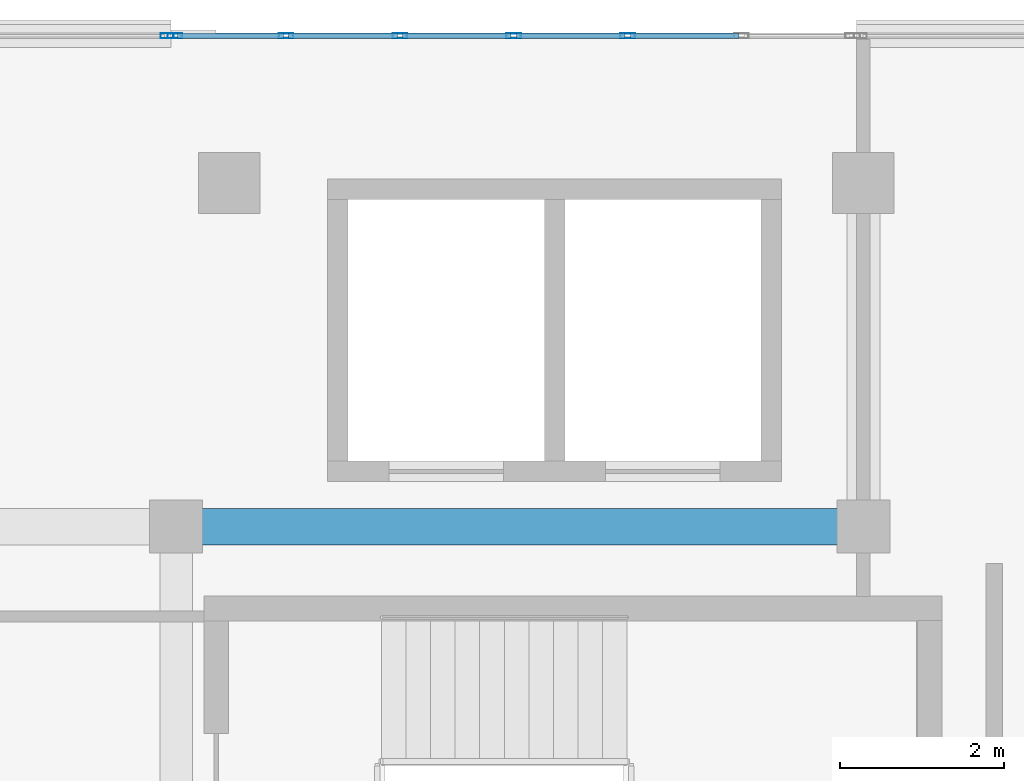
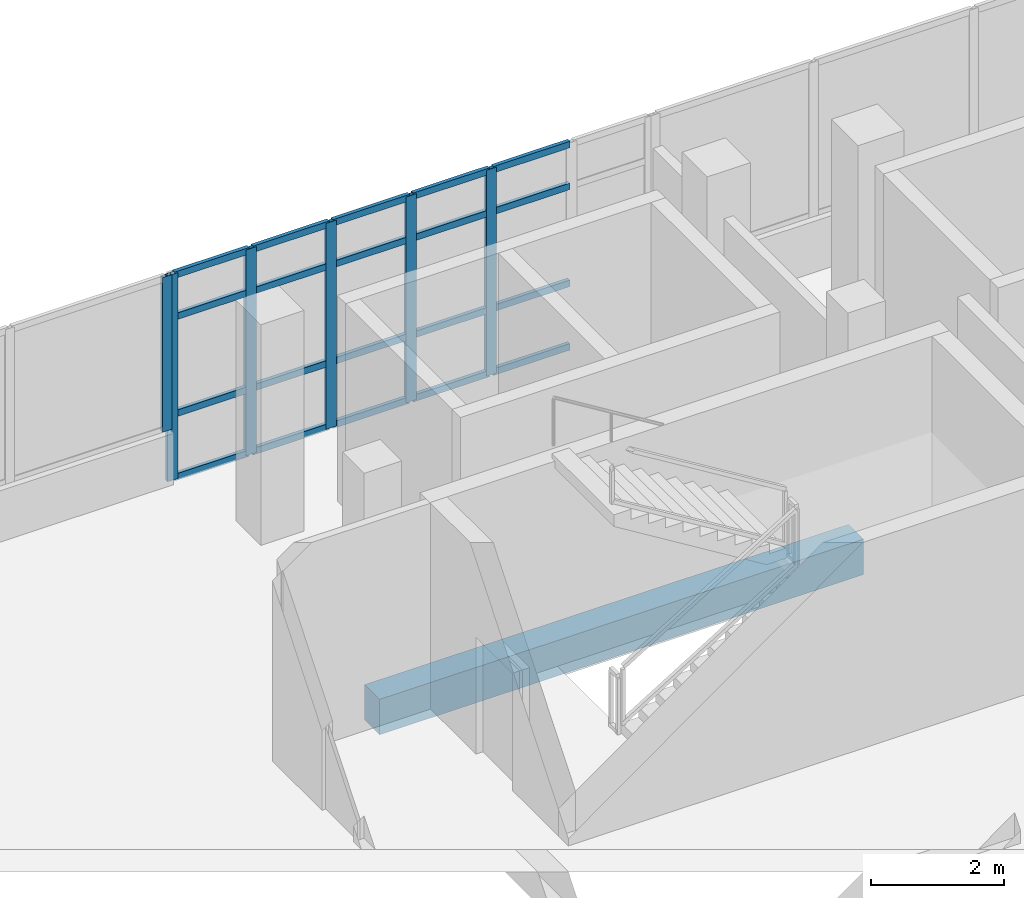
# One storey, part 21 of 76: 26 members, 1 beam, 2 elements without a shape of their own.
"""IFC4 building model written with IfcOpenShell, lengths in metres."""

from ifc_helpers import new_model, si_unit, direction, frame, origin, origin_2d, place, context, subcontext, project, spatial, rectangle, hollow_rectangle, extrude, material, material_profile, profile_set, type_object, element, aggregate, save


model = new_model("IFC4")

# Units and contexts
model_context = context("Model", 3, precision=1e-05, world=origin(), true_north=direction((0.0, 1.0)))
body_context = subcontext(model_context, "Body", "Model", "MODEL_VIEW")
ifc_project = project(units=[si_unit("LENGTHUNIT", "METRE"), si_unit("AREAUNIT", "SQUARE_METRE"), si_unit("VOLUMEUNIT", "CUBIC_METRE"), si_unit("PLANEANGLEUNIT", "RADIAN"), si_unit("MASSUNIT", "GRAM", prefix="KILO")], contexts=[model_context])

# Site, building, storey
site_placement = place(None, origin())
site = spatial("IfcSite", under=ifc_project, at=site_placement, CompositionType="ELEMENT")
building_placement = place(site_placement, origin())
building = spatial("IfcBuilding", under=site, at=building_placement, Name="Selatvlak General Hospital", CompositionType="ELEMENT")
storey_placement = place(building_placement, frame((0.0, 0.0, 27.300048828125)))
storey = spatial("IfcBuildingStorey", under=building, at=storey_placement, Name="L06", CompositionType="ELEMENT", Elevation=27.300048828125)

# Beam
ifc_material_1 = material(Name="Concrete C40/50", Category="concrete")
ifc_material_profile_1 = material_profile(ifc_material_1, rectangle(XDim=0.449951171875, YDim=0.64990234375, at=origin_2d()), Name="RC-BM 450x650")
ifc_profile_set_1 = profile_set([ifc_material_profile_1], Name="Concrete C40/50")
beam_type = type_object("IfcBeamType", Name="BM-G04", PredefinedType="BEAM", material=ifc_profile_set_1)
beam_placement = place(storey_placement, frame((48.0, 114.0, -0.60009765625), z_axis=(1.0, 0.0, 0.0), x_axis=(0.0, 1.0, 0.0)))
element("IfcBeam", 1, at=beam_placement, inside=storey, type_object=beam_type, Name="Beam BMR-L06-2220", PredefinedType="BEAM", context=body_context, shape_type="SweptSolid", body=[
    extrude(rectangle(XDim=0.449951171875, YDim=0.64990234375, at=origin_2d()), origin(), (0.0, 0.0, 1.0), 8.39990234375),
])

# Curtain wall, member
ifc_material_2 = material(Name="Solar-control Low-E double glazing", Category="glass")
curtain_wall_type_1 = type_object("IfcCurtainWallType", Name="CW-CW-02", PredefinedType="USERDEFINED", material=ifc_material_2)
curtain_wall_1_placement = place(storey_placement, origin())
curtain_wall_1 = element("IfcCurtainWall", 2, at=curtain_wall_1_placement, inside=storey, type_object=curtain_wall_type_1, Name="Glazed facade curtain wall CW-L06-0600", ObjectType="UNITISED CURTAIN WALL", PredefinedType="USERDEFINED")
ifc_material_3 = material(Name="Dark anodised aluminium mullion", Category="aluminium")
ifc_material_profile_2 = material_profile(ifc_material_3, hollow_rectangle(XDim=0.06494140625, YDim=0.159912109375, WallThickness=0.00390625, at=origin_2d()), Name="AL-MUL 65x160x4")
ifc_profile_set_2 = profile_set([ifc_material_profile_2], Name="Dark anodised aluminium mullion")
member_type_1 = type_object("IfcMemberType", Name="CWM-01", PredefinedType="MULLION", material=ifc_profile_set_2)
member_1_placement = place(storey_placement, frame((47.889404296875, 119.9990234375, 0.93994140625), z_axis=(0.0, 0.0, 1.0), x_axis=(0.0, 1.0, 0.0)))
member_1 = element("IfcMember", 3, at=member_1_placement, type_object=member_type_1, Name="CW-02 mullion 4", PredefinedType="MULLION", context=body_context, shape_type="SweptSolid", body=[
    extrude(hollow_rectangle(XDim=0.06494140625, YDim=0.159912109375, WallThickness=0.00390625, at=origin_2d()), origin(), (0.0, 0.0, 1.0), 2.840087890625),
])
aggregate(curtain_wall_1, [member_1])

# Curtain wall, members
curtain_wall_type_2 = type_object("IfcCurtainWallType", Name="CW-CW-04", PredefinedType="USERDEFINED", material=ifc_material_2)
curtain_wall_2_placement = place(storey_placement, origin())
curtain_wall_2 = element("IfcCurtainWall", 4, at=curtain_wall_2_placement, inside=storey, type_object=curtain_wall_type_2, Name="Glazed facade curtain wall CW-L06-0601", ObjectType="STICK GLAZING WALL", PredefinedType="USERDEFINED")
ifc_material_profile_3 = material_profile(ifc_material_3, hollow_rectangle(XDim=0.06494140625, YDim=0.179931640625, WallThickness=0.00439453125, at=origin_2d()), Name="AL-MUL 65x180x4.5")
ifc_profile_set_3 = profile_set([ifc_material_profile_3], Name="Dark anodised aluminium mullion")
member_type_2 = type_object("IfcMemberType", Name="CWM-02", PredefinedType="MULLION", material=ifc_profile_set_3)
member_2_placement = place(storey_placement, frame((47.984619140625, 119.9990234375, 0.0), z_axis=(0.0, 0.0, 1.0), x_axis=(0.0, 1.0, 0.0)))
member_2 = element("IfcMember", 5, at=member_2_placement, type_object=member_type_2, Name="CW-04 mullion 1", PredefinedType="MULLION", context=body_context, shape_type="SweptSolid", body=[
    extrude(hollow_rectangle(XDim=0.06494140625, YDim=0.179931640625, WallThickness=0.00439453125, at=origin_2d()), origin(), (0.0, 0.0, 1.0), 3.780029296875),
])
member_3_placement = place(storey_placement, frame((49.343505859375, 119.9990234375, 0.0), z_axis=(0.0, 0.0, 1.0), x_axis=(0.0, 1.0, 0.0)))
member_3 = element("IfcMember", 6, at=member_3_placement, type_object=member_type_2, Name="CW-04 mullion 2", PredefinedType="MULLION", context=body_context, shape_type="SweptSolid", body=[
    extrude(hollow_rectangle(XDim=0.06494140625, YDim=0.179931640625, WallThickness=0.00439453125, at=origin_2d()), origin(), (0.0, 0.0, 1.0), 3.780029296875),
])
member_4_placement = place(storey_placement, frame((50.735107421875, 119.9990234375, 0.0), z_axis=(0.0, 0.0, 1.0), x_axis=(0.0, 1.0, 0.0)))
member_4 = element("IfcMember", 7, at=member_4_placement, type_object=member_type_2, Name="CW-04 mullion 3", PredefinedType="MULLION", context=body_context, shape_type="SweptSolid", body=[
    extrude(hollow_rectangle(XDim=0.06494140625, YDim=0.179931640625, WallThickness=0.00439453125, at=origin_2d()), origin(), (0.0, 0.0, 1.0), 3.780029296875),
])
member_5_placement = place(storey_placement, frame((52.12646484375, 119.9990234375, 0.0), z_axis=(0.0, 0.0, 1.0), x_axis=(0.0, 1.0, 0.0)))
member_5 = element("IfcMember", 8, at=member_5_placement, type_object=member_type_2, Name="CW-04 mullion 4", PredefinedType="MULLION", context=body_context, shape_type="SweptSolid", body=[
    extrude(hollow_rectangle(XDim=0.06494140625, YDim=0.179931640625, WallThickness=0.00439453125, at=origin_2d()), origin(), (0.0, 0.0, 1.0), 3.780029296875),
])
member_6_placement = place(storey_placement, frame((53.51806640625, 119.9990234375, 0.0), z_axis=(0.0, 0.0, 1.0), x_axis=(0.0, 1.0, 0.0)))
member_6 = element("IfcMember", 9, at=member_6_placement, type_object=member_type_2, Name="CW-04 mullion 5", PredefinedType="MULLION", context=body_context, shape_type="SweptSolid", body=[
    extrude(hollow_rectangle(XDim=0.06494140625, YDim=0.179931640625, WallThickness=0.00439453125, at=origin_2d()), origin(), (0.0, 0.0, 1.0), 3.780029296875),
])
ifc_material_profile_4 = material_profile(ifc_material_3, hollow_rectangle(XDim=0.06494140625, YDim=0.1201171875, WallThickness=0.00390625, at=origin_2d()), Name="AL-TRN 65x120x4")
ifc_profile_set_4 = profile_set([ifc_material_profile_4], Name="Dark anodised aluminium mullion")
member_type_3 = type_object("IfcMemberType", Name="CWT-01", PredefinedType="USERDEFINED", material=ifc_profile_set_4)
member_7_placement = place(storey_placement, frame((48.01708984375, 119.9990234375, 0.032470703125), z_axis=(1.0, 0.0, 0.0), x_axis=(0.0, 1.0, 0.0)))
member_7 = element("IfcMember", 10, at=member_7_placement, type_object=member_type_3, Name="CW-04 transom 1.1", ObjectType="TRANSOM", PredefinedType="USERDEFINED", context=body_context, shape_type="SweptSolid", body=[
    extrude(hollow_rectangle(XDim=0.06494140625, YDim=0.1201171875, WallThickness=0.00390625, at=origin_2d()), origin(), (0.0, 0.0, 1.0), 1.2939453125),
])
member_8_placement = place(storey_placement, frame((48.01708984375, 119.9990234375, 1.199951171875), z_axis=(1.0, 0.0, 0.0), x_axis=(0.0, 1.0, 0.0)))
member_8 = element("IfcMember", 11, at=member_8_placement, type_object=member_type_3, Name="CW-04 transom 1.2", ObjectType="TRANSOM", PredefinedType="USERDEFINED", context=body_context, shape_type="SweptSolid", body=[
    extrude(hollow_rectangle(XDim=0.06494140625, YDim=0.1201171875, WallThickness=0.00390625, at=origin_2d()), origin(), (0.0, 0.0, 1.0), 1.2939453125),
])
member_9_placement = place(storey_placement, frame((48.01708984375, 119.9990234375, 2.97998046875), z_axis=(1.0, 0.0, 0.0), x_axis=(0.0, 1.0, 0.0)))
member_9 = element("IfcMember", 12, at=member_9_placement, type_object=member_type_3, Name="CW-04 transom 1.3", ObjectType="TRANSOM", PredefinedType="USERDEFINED", context=body_context, shape_type="SweptSolid", body=[
    extrude(hollow_rectangle(XDim=0.06494140625, YDim=0.1201171875, WallThickness=0.00390625, at=origin_2d()), origin(), (0.0, 0.0, 1.0), 1.2939453125),
])
member_10_placement = place(storey_placement, frame((48.01708984375, 119.9990234375, 3.74755859375), z_axis=(1.0, 0.0, 0.0), x_axis=(0.0, 1.0, 0.0)))
member_10 = element("IfcMember", 13, at=member_10_placement, type_object=member_type_3, Name="CW-04 transom 1.4", ObjectType="TRANSOM", PredefinedType="USERDEFINED", context=body_context, shape_type="SweptSolid", body=[
    extrude(hollow_rectangle(XDim=0.06494140625, YDim=0.1201171875, WallThickness=0.00390625, at=origin_2d()), origin(), (0.0, 0.0, 1.0), 1.2939453125),
])
member_11_placement = place(storey_placement, frame((49.3759765625, 119.9990234375, 0.032470703125), z_axis=(1.0, 0.0, 0.0), x_axis=(0.0, 1.0, 0.0)))
member_11 = element("IfcMember", 14, at=member_11_placement, type_object=member_type_3, Name="CW-04 transom 2.1", ObjectType="TRANSOM", PredefinedType="USERDEFINED", context=body_context, shape_type="SweptSolid", body=[
    extrude(hollow_rectangle(XDim=0.06494140625, YDim=0.1201171875, WallThickness=0.00390625, at=origin_2d()), origin(), (0.0, 0.0, 1.0), 1.326416015625),
])
member_12_placement = place(storey_placement, frame((49.3759765625, 119.9990234375, 1.199951171875), z_axis=(1.0, 0.0, 0.0), x_axis=(0.0, 1.0, 0.0)))
member_12 = element("IfcMember", 15, at=member_12_placement, type_object=member_type_3, Name="CW-04 transom 2.2", ObjectType="TRANSOM", PredefinedType="USERDEFINED", context=body_context, shape_type="SweptSolid", body=[
    extrude(hollow_rectangle(XDim=0.06494140625, YDim=0.1201171875, WallThickness=0.00390625, at=origin_2d()), origin(), (0.0, 0.0, 1.0), 1.326416015625),
])
member_13_placement = place(storey_placement, frame((49.3759765625, 119.9990234375, 2.97998046875), z_axis=(1.0, 0.0, 0.0), x_axis=(0.0, 1.0, 0.0)))
member_13 = element("IfcMember", 16, at=member_13_placement, type_object=member_type_3, Name="CW-04 transom 2.3", ObjectType="TRANSOM", PredefinedType="USERDEFINED", context=body_context, shape_type="SweptSolid", body=[
    extrude(hollow_rectangle(XDim=0.06494140625, YDim=0.1201171875, WallThickness=0.00390625, at=origin_2d()), origin(), (0.0, 0.0, 1.0), 1.326416015625),
])
member_14_placement = place(storey_placement, frame((49.3759765625, 119.9990234375, 3.74755859375), z_axis=(1.0, 0.0, 0.0), x_axis=(0.0, 1.0, 0.0)))
member_14 = element("IfcMember", 17, at=member_14_placement, type_object=member_type_3, Name="CW-04 transom 2.4", ObjectType="TRANSOM", PredefinedType="USERDEFINED", context=body_context, shape_type="SweptSolid", body=[
    extrude(hollow_rectangle(XDim=0.06494140625, YDim=0.1201171875, WallThickness=0.00390625, at=origin_2d()), origin(), (0.0, 0.0, 1.0), 1.326416015625),
])
member_15_placement = place(storey_placement, frame((50.767578125, 119.9990234375, 0.032470703125), z_axis=(1.0, 0.0, 0.0), x_axis=(0.0, 1.0, 0.0)))
member_15 = element("IfcMember", 18, at=member_15_placement, type_object=member_type_3, Name="CW-04 transom 3.1", ObjectType="TRANSOM", PredefinedType="USERDEFINED", context=body_context, shape_type="SweptSolid", body=[
    extrude(hollow_rectangle(XDim=0.06494140625, YDim=0.1201171875, WallThickness=0.00390625, at=origin_2d()), origin(), (0.0, 0.0, 1.0), 1.326416015625),
])
member_16_placement = place(storey_placement, frame((50.767578125, 119.9990234375, 1.199951171875), z_axis=(1.0, 0.0, 0.0), x_axis=(0.0, 1.0, 0.0)))
member_16 = element("IfcMember", 19, at=member_16_placement, type_object=member_type_3, Name="CW-04 transom 3.2", ObjectType="TRANSOM", PredefinedType="USERDEFINED", context=body_context, shape_type="SweptSolid", body=[
    extrude(hollow_rectangle(XDim=0.06494140625, YDim=0.1201171875, WallThickness=0.00390625, at=origin_2d()), origin(), (0.0, 0.0, 1.0), 1.326416015625),
])
member_17_placement = place(storey_placement, frame((50.767578125, 119.9990234375, 2.97998046875), z_axis=(1.0, 0.0, 0.0), x_axis=(0.0, 1.0, 0.0)))
member_17 = element("IfcMember", 20, at=member_17_placement, type_object=member_type_3, Name="CW-04 transom 3.3", ObjectType="TRANSOM", PredefinedType="USERDEFINED", context=body_context, shape_type="SweptSolid", body=[
    extrude(hollow_rectangle(XDim=0.06494140625, YDim=0.1201171875, WallThickness=0.00390625, at=origin_2d()), origin(), (0.0, 0.0, 1.0), 1.326416015625),
])
member_18_placement = place(storey_placement, frame((50.767578125, 119.9990234375, 3.74755859375), z_axis=(1.0, 0.0, 0.0), x_axis=(0.0, 1.0, 0.0)))
member_18 = element("IfcMember", 21, at=member_18_placement, type_object=member_type_3, Name="CW-04 transom 3.4", ObjectType="TRANSOM", PredefinedType="USERDEFINED", context=body_context, shape_type="SweptSolid", body=[
    extrude(hollow_rectangle(XDim=0.06494140625, YDim=0.1201171875, WallThickness=0.00390625, at=origin_2d()), origin(), (0.0, 0.0, 1.0), 1.326416015625),
])
member_19_placement = place(storey_placement, frame((52.158935546875, 119.9990234375, 0.032470703125), z_axis=(1.0, 0.0, 0.0), x_axis=(0.0, 1.0, 0.0)))
member_19 = element("IfcMember", 22, at=member_19_placement, type_object=member_type_3, Name="CW-04 transom 4.1", ObjectType="TRANSOM", PredefinedType="USERDEFINED", context=body_context, shape_type="SweptSolid", body=[
    extrude(hollow_rectangle(XDim=0.06494140625, YDim=0.1201171875, WallThickness=0.00390625, at=origin_2d()), origin(), (0.0, 0.0, 1.0), 1.32666015625),
])
member_20_placement = place(storey_placement, frame((52.158935546875, 119.9990234375, 1.199951171875), z_axis=(1.0, 0.0, 0.0), x_axis=(0.0, 1.0, 0.0)))
member_20 = element("IfcMember", 23, at=member_20_placement, type_object=member_type_3, Name="CW-04 transom 4.2", ObjectType="TRANSOM", PredefinedType="USERDEFINED", context=body_context, shape_type="SweptSolid", body=[
    extrude(hollow_rectangle(XDim=0.06494140625, YDim=0.1201171875, WallThickness=0.00390625, at=origin_2d()), origin(), (0.0, 0.0, 1.0), 1.32666015625),
])
member_21_placement = place(storey_placement, frame((52.158935546875, 119.9990234375, 2.97998046875), z_axis=(1.0, 0.0, 0.0), x_axis=(0.0, 1.0, 0.0)))
member_21 = element("IfcMember", 24, at=member_21_placement, type_object=member_type_3, Name="CW-04 transom 4.3", ObjectType="TRANSOM", PredefinedType="USERDEFINED", context=body_context, shape_type="SweptSolid", body=[
    extrude(hollow_rectangle(XDim=0.06494140625, YDim=0.1201171875, WallThickness=0.00390625, at=origin_2d()), origin(), (0.0, 0.0, 1.0), 1.32666015625),
])
member_22_placement = place(storey_placement, frame((52.158935546875, 119.9990234375, 3.74755859375), z_axis=(1.0, 0.0, 0.0), x_axis=(0.0, 1.0, 0.0)))
member_22 = element("IfcMember", 25, at=member_22_placement, type_object=member_type_3, Name="CW-04 transom 4.4", ObjectType="TRANSOM", PredefinedType="USERDEFINED", context=body_context, shape_type="SweptSolid", body=[
    extrude(hollow_rectangle(XDim=0.06494140625, YDim=0.1201171875, WallThickness=0.00390625, at=origin_2d()), origin(), (0.0, 0.0, 1.0), 1.32666015625),
])
member_23_placement = place(storey_placement, frame((53.550537109375, 119.9990234375, 0.032470703125), z_axis=(1.0, 0.0, 0.0), x_axis=(0.0, 1.0, 0.0)))
member_23 = element("IfcMember", 26, at=member_23_placement, type_object=member_type_3, Name="CW-04 transom 5.1", ObjectType="TRANSOM", PredefinedType="USERDEFINED", context=body_context, shape_type="SweptSolid", body=[
    extrude(hollow_rectangle(XDim=0.06494140625, YDim=0.1201171875, WallThickness=0.00390625, at=origin_2d()), origin(), (0.0, 0.0, 1.0), 1.326416015625),
])
member_24_placement = place(storey_placement, frame((53.550537109375, 119.9990234375, 1.199951171875), z_axis=(1.0, 0.0, 0.0), x_axis=(0.0, 1.0, 0.0)))
member_24 = element("IfcMember", 27, at=member_24_placement, type_object=member_type_3, Name="CW-04 transom 5.2", ObjectType="TRANSOM", PredefinedType="USERDEFINED", context=body_context, shape_type="SweptSolid", body=[
    extrude(hollow_rectangle(XDim=0.06494140625, YDim=0.1201171875, WallThickness=0.00390625, at=origin_2d()), origin(), (0.0, 0.0, 1.0), 1.326416015625),
])
member_25_placement = place(storey_placement, frame((53.550537109375, 119.9990234375, 2.97998046875), z_axis=(1.0, 0.0, 0.0), x_axis=(0.0, 1.0, 0.0)))
member_25 = element("IfcMember", 28, at=member_25_placement, type_object=member_type_3, Name="CW-04 transom 5.3", ObjectType="TRANSOM", PredefinedType="USERDEFINED", context=body_context, shape_type="SweptSolid", body=[
    extrude(hollow_rectangle(XDim=0.06494140625, YDim=0.1201171875, WallThickness=0.00390625, at=origin_2d()), origin(), (0.0, 0.0, 1.0), 1.326416015625),
])
member_26_placement = place(storey_placement, frame((53.550537109375, 119.9990234375, 3.74755859375), z_axis=(1.0, 0.0, 0.0), x_axis=(0.0, 1.0, 0.0)))
member_26 = element("IfcMember", 29, at=member_26_placement, type_object=member_type_3, Name="CW-04 transom 5.4", ObjectType="TRANSOM", PredefinedType="USERDEFINED", context=body_context, shape_type="SweptSolid", body=[
    extrude(hollow_rectangle(XDim=0.06494140625, YDim=0.1201171875, WallThickness=0.00390625, at=origin_2d()), origin(), (0.0, 0.0, 1.0), 1.326416015625),
])
aggregate(curtain_wall_2, [member_2, member_3, member_4, member_5, member_6, member_7, member_8, member_9, member_10, member_11, member_12, member_13, member_14, member_15, member_16, member_17, member_18, member_19, member_20, member_21, member_22, member_23, member_24, member_25, member_26])

save(model, "model.ifc")
